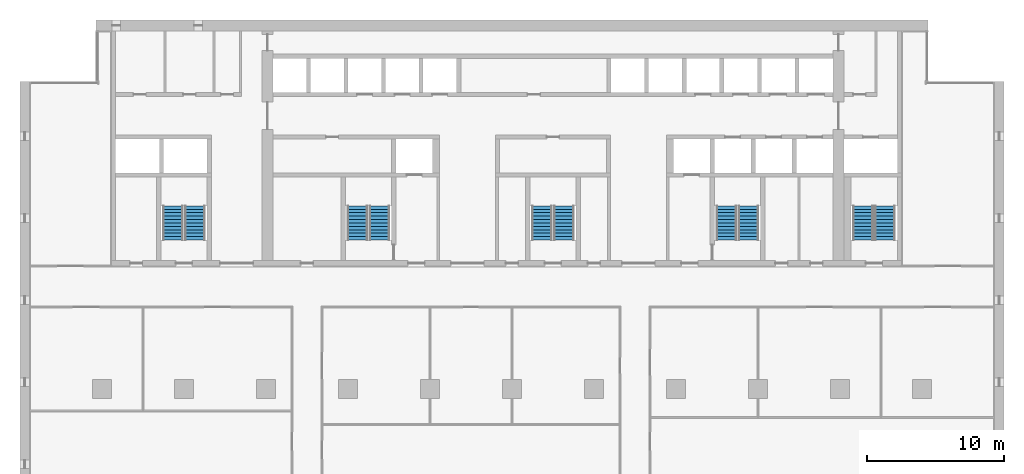
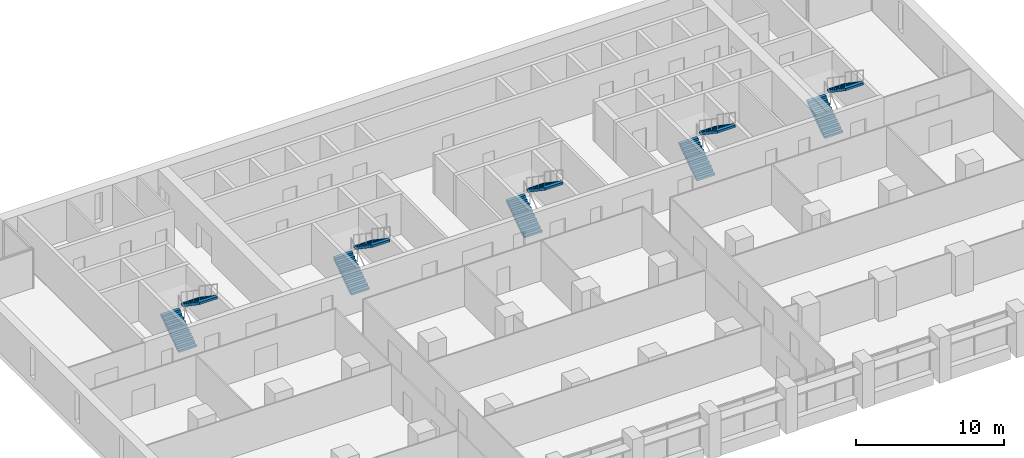
# One storey, part 13 of 17: 10 stair flights, 5 elements without a shape of their own.
"""IFC4 building model written with IfcOpenShell, lengths in metres."""

from ifc_helpers import new_model, si_unit, direction, frame, origin, place, context, subcontext, project, spatial, polyline, outline, extrude, material, type_object, element, aggregate, save


model = new_model("IFC4")

# Units and contexts
model_context = context("Model", 3, precision=1e-05, world=origin(), true_north=direction((0.0, 1.0)))
body_context = subcontext(model_context, "Body", "Model", "MODEL_VIEW")
ifc_project = project(units=[si_unit("LENGTHUNIT", "METRE"), si_unit("AREAUNIT", "SQUARE_METRE"), si_unit("VOLUMEUNIT", "CUBIC_METRE"), si_unit("PLANEANGLEUNIT", "RADIAN"), si_unit("MASSUNIT", "GRAM", prefix="KILO")], contexts=[model_context])

# Site, building, storey
site_placement = place(None, origin())
site = spatial("IfcSite", under=ifc_project, at=site_placement, CompositionType="ELEMENT")
building_placement = place(site_placement, origin())
building = spatial("IfcBuilding", under=site, at=building_placement, Name="Calvaro Tower", CompositionType="ELEMENT")
storey_placement = place(building_placement, frame((0.0, 0.0, 102.5)))
storey = spatial("IfcBuildingStorey", under=building, at=storey_placement, Name="L25", CompositionType="ELEMENT", Elevation=102.5)

# Stair, stair flights
ifc_material_1 = material(Name="Concrete C40/50", Category="concrete")
stair_type = type_object("IfcStairType", Name="Exit stair 1400 2 flights", PredefinedType="HALF_TURN_STAIR", material=ifc_material_1)
stair_1_placement = place(storey_placement, origin())
stair_1 = element("IfcStair", 1, at=stair_1_placement, inside=storey, type_object=stair_type, Name="Exit stair S1", PredefinedType="HALF_TURN_STAIR")
ifc_material_2 = material(Name="Concrete C40/50", Category="concrete")
stair_flight_type = type_object("IfcStairFlightType", Name="Stair flight", PredefinedType="STRAIGHT", material=ifc_material_2)
stair_flight_1_placement = place(storey_placement, frame((11.199951171875, 29.89990234375, 0.0), z_axis=(0.0, 0.0, 1.0), x_axis=(0.0, 1.0, 0.0)))
stair_flight_1 = element("IfcStairFlight", 2, at=stair_flight_1_placement, type_object=stair_flight_type, Name="Exit stair 1, flight 1", NumberOfRisers=11, NumberOfTreads=10, PredefinedType="STRAIGHT", RiserHeight=0.170454545, TreadLength=0.25, context=body_context, shape_type="SweptSolid", body=[
    extrude(outline(polyline([(0.0, 0.0), (0.0, 0.17041015625), (0.25, 0.17041015625), (0.25, 0.3408203125), (0.5, 0.3408203125), (0.5, 0.511474609375), (0.75, 0.511474609375), (0.75, 0.681884765625), (1.0, 0.681884765625), (1.0, 0.852294921875), (1.25, 0.852294921875), (1.25, 1.022705078125), (1.5, 1.022705078125), (1.5, 1.193115234375), (1.75, 1.193115234375), (1.75, 1.363525390625), (2.0, 1.363525390625), (2.0, 1.5341796875), (2.25, 1.5341796875), (2.25, 1.70458984375), (2.5, 1.70458984375), (2.5, 1.875), (2.5, 1.523193359375), (0.26611328125, 0.0), (0.0, 0.0)])), frame((0.0, 0.699951171875, 0.0), z_axis=(0.0, -1.0, 0.0), x_axis=(1.0, 0.0, 0.0)), (0.0, 0.0, 1.0), 1.39990234375),
])
stair_flight_2_placement = place(storey_placement, frame((12.800048828125, 32.39990234375, 1.875), z_axis=(0.0, 0.0, 1.0), x_axis=(0.0, -1.0, 0.0)))
stair_flight_2 = element("IfcStairFlight", 3, at=stair_flight_2_placement, type_object=stair_flight_type, Name="Exit stair 1, flight 2", NumberOfRisers=11, NumberOfTreads=10, PredefinedType="STRAIGHT", RiserHeight=0.170454545, TreadLength=0.25, context=body_context, shape_type="SweptSolid", body=[
    extrude(outline(polyline([(0.0, 0.0), (0.0, 0.17041015625), (0.25, 0.17041015625), (0.25, 0.3408203125), (0.5, 0.3408203125), (0.5, 0.511474609375), (0.75, 0.511474609375), (0.75, 0.681884765625), (1.0, 0.681884765625), (1.0, 0.852294921875), (1.25, 0.852294921875), (1.25, 1.022705078125), (1.5, 1.022705078125), (1.5, 1.193115234375), (1.75, 1.193115234375), (1.75, 1.363525390625), (2.0, 1.363525390625), (2.0, 1.5341796875), (2.25, 1.5341796875), (2.25, 1.70458984375), (2.5, 1.70458984375), (2.5, 1.875), (2.5, 1.523193359375), (0.26611328125, 0.0), (0.0, 0.0)])), frame((0.0, 0.699951171875, 0.0), z_axis=(0.0, -1.0, 0.0), x_axis=(1.0, 0.0, 0.0)), (0.0, 0.0, 1.0), 1.39990234375),
])
aggregate(stair_1, [stair_flight_1, stair_flight_2])

stair_2_placement = place(storey_placement, origin())
stair_2 = element("IfcStair", 4, at=stair_2_placement, inside=storey, type_object=stair_type, Name="Exit stair S2", PredefinedType="HALF_TURN_STAIR")
stair_flight_3_placement = place(storey_placement, frame((24.699951171875, 29.89990234375, 0.0), z_axis=(0.0, 0.0, 1.0), x_axis=(0.0, 1.0, 0.0)))
stair_flight_3 = element("IfcStairFlight", 5, at=stair_flight_3_placement, type_object=stair_flight_type, Name="Exit stair 2, flight 1", NumberOfRisers=11, NumberOfTreads=10, PredefinedType="STRAIGHT", RiserHeight=0.170454545, TreadLength=0.25, context=body_context, shape_type="SweptSolid", body=[
    extrude(outline(polyline([(0.0, 0.0), (0.0, 0.17041015625), (0.25, 0.17041015625), (0.25, 0.3408203125), (0.5, 0.3408203125), (0.5, 0.511474609375), (0.75, 0.511474609375), (0.75, 0.681884765625), (1.0, 0.681884765625), (1.0, 0.852294921875), (1.25, 0.852294921875), (1.25, 1.022705078125), (1.5, 1.022705078125), (1.5, 1.193115234375), (1.75, 1.193115234375), (1.75, 1.363525390625), (2.0, 1.363525390625), (2.0, 1.5341796875), (2.25, 1.5341796875), (2.25, 1.70458984375), (2.5, 1.70458984375), (2.5, 1.875), (2.5, 1.523193359375), (0.26611328125, 0.0), (0.0, 0.0)])), frame((0.0, 0.699951171875, 0.0), z_axis=(0.0, -1.0, 0.0), x_axis=(1.0, 0.0, 0.0)), (0.0, 0.0, 1.0), 1.39990234375),
])
stair_flight_4_placement = place(storey_placement, frame((26.300048828125, 32.39990234375, 1.875), z_axis=(0.0, 0.0, 1.0), x_axis=(0.0, -1.0, 0.0)))
stair_flight_4 = element("IfcStairFlight", 6, at=stair_flight_4_placement, type_object=stair_flight_type, Name="Exit stair 2, flight 2", NumberOfRisers=11, NumberOfTreads=10, PredefinedType="STRAIGHT", RiserHeight=0.170454545, TreadLength=0.25, context=body_context, shape_type="SweptSolid", body=[
    extrude(outline(polyline([(0.0, 0.0), (0.0, 0.17041015625), (0.25, 0.17041015625), (0.25, 0.3408203125), (0.5, 0.3408203125), (0.5, 0.511474609375), (0.75, 0.511474609375), (0.75, 0.681884765625), (1.0, 0.681884765625), (1.0, 0.852294921875), (1.25, 0.852294921875), (1.25, 1.022705078125), (1.5, 1.022705078125), (1.5, 1.193115234375), (1.75, 1.193115234375), (1.75, 1.363525390625), (2.0, 1.363525390625), (2.0, 1.5341796875), (2.25, 1.5341796875), (2.25, 1.70458984375), (2.5, 1.70458984375), (2.5, 1.875), (2.5, 1.523193359375), (0.26611328125, 0.0), (0.0, 0.0)])), frame((0.0, 0.699951171875, 0.0), z_axis=(0.0, -1.0, 0.0), x_axis=(1.0, 0.0, 0.0)), (0.0, 0.0, 1.0), 1.39990234375),
])
aggregate(stair_2, [stair_flight_3, stair_flight_4])

stair_3_placement = place(storey_placement, origin())
stair_3 = element("IfcStair", 7, at=stair_3_placement, inside=storey, type_object=stair_type, Name="Exit stair S3", PredefinedType="HALF_TURN_STAIR")
stair_flight_5_placement = place(storey_placement, frame((38.199951171875, 29.89990234375, 0.0), z_axis=(0.0, 0.0, 1.0), x_axis=(0.0, 1.0, 0.0)))
stair_flight_5 = element("IfcStairFlight", 8, at=stair_flight_5_placement, type_object=stair_flight_type, Name="Exit stair 3, flight 1", NumberOfRisers=11, NumberOfTreads=10, PredefinedType="STRAIGHT", RiserHeight=0.170454545, TreadLength=0.25, context=body_context, shape_type="SweptSolid", body=[
    extrude(outline(polyline([(0.0, 0.0), (0.0, 0.17041015625), (0.25, 0.17041015625), (0.25, 0.3408203125), (0.5, 0.3408203125), (0.5, 0.511474609375), (0.75, 0.511474609375), (0.75, 0.681884765625), (1.0, 0.681884765625), (1.0, 0.852294921875), (1.25, 0.852294921875), (1.25, 1.022705078125), (1.5, 1.022705078125), (1.5, 1.193115234375), (1.75, 1.193115234375), (1.75, 1.363525390625), (2.0, 1.363525390625), (2.0, 1.5341796875), (2.25, 1.5341796875), (2.25, 1.70458984375), (2.5, 1.70458984375), (2.5, 1.875), (2.5, 1.523193359375), (0.26611328125, 0.0), (0.0, 0.0)])), frame((0.0, 0.699951171875, 0.0), z_axis=(0.0, -1.0, 0.0), x_axis=(1.0, 0.0, 0.0)), (0.0, 0.0, 1.0), 1.39990234375),
])
stair_flight_6_placement = place(storey_placement, frame((39.800048828125, 32.39990234375, 1.875), z_axis=(0.0, 0.0, 1.0), x_axis=(0.0, -1.0, 0.0)))
stair_flight_6 = element("IfcStairFlight", 9, at=stair_flight_6_placement, type_object=stair_flight_type, Name="Exit stair 3, flight 2", NumberOfRisers=11, NumberOfTreads=10, PredefinedType="STRAIGHT", RiserHeight=0.170454545, TreadLength=0.25, context=body_context, shape_type="SweptSolid", body=[
    extrude(outline(polyline([(0.0, 0.0), (0.0, 0.17041015625), (0.25, 0.17041015625), (0.25, 0.3408203125), (0.5, 0.3408203125), (0.5, 0.511474609375), (0.75, 0.511474609375), (0.75, 0.681884765625), (1.0, 0.681884765625), (1.0, 0.852294921875), (1.25, 0.852294921875), (1.25, 1.022705078125), (1.5, 1.022705078125), (1.5, 1.193115234375), (1.75, 1.193115234375), (1.75, 1.363525390625), (2.0, 1.363525390625), (2.0, 1.5341796875), (2.25, 1.5341796875), (2.25, 1.70458984375), (2.5, 1.70458984375), (2.5, 1.875), (2.5, 1.523193359375), (0.26611328125, 0.0), (0.0, 0.0)])), frame((0.0, 0.699951171875, 0.0), z_axis=(0.0, -1.0, 0.0), x_axis=(1.0, 0.0, 0.0)), (0.0, 0.0, 1.0), 1.39990234375),
])
aggregate(stair_3, [stair_flight_5, stair_flight_6])

stair_4_placement = place(storey_placement, origin())
stair_4 = element("IfcStair", 10, at=stair_4_placement, inside=storey, type_object=stair_type, Name="Exit stair S4", PredefinedType="HALF_TURN_STAIR")
stair_flight_7_placement = place(storey_placement, frame((51.699951171875, 29.89990234375, 0.0), z_axis=(0.0, 0.0, 1.0), x_axis=(0.0, 1.0, 0.0)))
stair_flight_7 = element("IfcStairFlight", 11, at=stair_flight_7_placement, type_object=stair_flight_type, Name="Exit stair 4, flight 1", NumberOfRisers=11, NumberOfTreads=10, PredefinedType="STRAIGHT", RiserHeight=0.170454545, TreadLength=0.25, context=body_context, shape_type="SweptSolid", body=[
    extrude(outline(polyline([(0.0, 0.0), (0.0, 0.17041015625), (0.25, 0.17041015625), (0.25, 0.3408203125), (0.5, 0.3408203125), (0.5, 0.511474609375), (0.75, 0.511474609375), (0.75, 0.681884765625), (1.0, 0.681884765625), (1.0, 0.852294921875), (1.25, 0.852294921875), (1.25, 1.022705078125), (1.5, 1.022705078125), (1.5, 1.193115234375), (1.75, 1.193115234375), (1.75, 1.363525390625), (2.0, 1.363525390625), (2.0, 1.5341796875), (2.25, 1.5341796875), (2.25, 1.70458984375), (2.5, 1.70458984375), (2.5, 1.875), (2.5, 1.523193359375), (0.26611328125, 0.0), (0.0, 0.0)])), frame((0.0, 0.699951171875, 0.0), z_axis=(0.0, -1.0, 0.0), x_axis=(1.0, 0.0, 0.0)), (0.0, 0.0, 1.0), 1.39990234375),
])
stair_flight_8_placement = place(storey_placement, frame((53.300048828125, 32.39990234375, 1.875), z_axis=(0.0, 0.0, 1.0), x_axis=(0.0, -1.0, 0.0)))
stair_flight_8 = element("IfcStairFlight", 12, at=stair_flight_8_placement, type_object=stair_flight_type, Name="Exit stair 4, flight 2", NumberOfRisers=11, NumberOfTreads=10, PredefinedType="STRAIGHT", RiserHeight=0.170454545, TreadLength=0.25, context=body_context, shape_type="SweptSolid", body=[
    extrude(outline(polyline([(0.0, 0.0), (0.0, 0.17041015625), (0.25, 0.17041015625), (0.25, 0.3408203125), (0.5, 0.3408203125), (0.5, 0.511474609375), (0.75, 0.511474609375), (0.75, 0.681884765625), (1.0, 0.681884765625), (1.0, 0.852294921875), (1.25, 0.852294921875), (1.25, 1.022705078125), (1.5, 1.022705078125), (1.5, 1.193115234375), (1.75, 1.193115234375), (1.75, 1.363525390625), (2.0, 1.363525390625), (2.0, 1.5341796875), (2.25, 1.5341796875), (2.25, 1.70458984375), (2.5, 1.70458984375), (2.5, 1.875), (2.5, 1.523193359375), (0.26611328125, 0.0), (0.0, 0.0)])), frame((0.0, 0.699951171875, 0.0), z_axis=(0.0, -1.0, 0.0), x_axis=(1.0, 0.0, 0.0)), (0.0, 0.0, 1.0), 1.39990234375),
])
aggregate(stair_4, [stair_flight_7, stair_flight_8])

stair_5_placement = place(storey_placement, origin())
stair_5 = element("IfcStair", 13, at=stair_5_placement, inside=storey, type_object=stair_type, Name="Exit stair S5", PredefinedType="HALF_TURN_STAIR")
stair_flight_9_placement = place(storey_placement, frame((61.699951171875, 29.89990234375, 0.0), z_axis=(0.0, 0.0, 1.0), x_axis=(0.0, 1.0, 0.0)))
stair_flight_9 = element("IfcStairFlight", 14, at=stair_flight_9_placement, type_object=stair_flight_type, Name="Exit stair 5, flight 1", NumberOfRisers=11, NumberOfTreads=10, PredefinedType="STRAIGHT", RiserHeight=0.170454545, TreadLength=0.25, context=body_context, shape_type="SweptSolid", body=[
    extrude(outline(polyline([(0.0, 0.0), (0.0, 0.17041015625), (0.25, 0.17041015625), (0.25, 0.3408203125), (0.5, 0.3408203125), (0.5, 0.511474609375), (0.75, 0.511474609375), (0.75, 0.681884765625), (1.0, 0.681884765625), (1.0, 0.852294921875), (1.25, 0.852294921875), (1.25, 1.022705078125), (1.5, 1.022705078125), (1.5, 1.193115234375), (1.75, 1.193115234375), (1.75, 1.363525390625), (2.0, 1.363525390625), (2.0, 1.5341796875), (2.25, 1.5341796875), (2.25, 1.70458984375), (2.5, 1.70458984375), (2.5, 1.875), (2.5, 1.523193359375), (0.26611328125, 0.0), (0.0, 0.0)])), frame((0.0, 0.699951171875, 0.0), z_axis=(0.0, -1.0, 0.0), x_axis=(1.0, 0.0, 0.0)), (0.0, 0.0, 1.0), 1.39990234375),
])
stair_flight_10_placement = place(storey_placement, frame((63.300048828125, 32.39990234375, 1.875), z_axis=(0.0, 0.0, 1.0), x_axis=(0.0, -1.0, 0.0)))
stair_flight_10 = element("IfcStairFlight", 15, at=stair_flight_10_placement, type_object=stair_flight_type, Name="Exit stair 5, flight 2", NumberOfRisers=11, NumberOfTreads=10, PredefinedType="STRAIGHT", RiserHeight=0.170454545, TreadLength=0.25, context=body_context, shape_type="SweptSolid", body=[
    extrude(outline(polyline([(0.0, 0.0), (0.0, 0.17041015625), (0.25, 0.17041015625), (0.25, 0.3408203125), (0.5, 0.3408203125), (0.5, 0.511474609375), (0.75, 0.511474609375), (0.75, 0.681884765625), (1.0, 0.681884765625), (1.0, 0.852294921875), (1.25, 0.852294921875), (1.25, 1.022705078125), (1.5, 1.022705078125), (1.5, 1.193115234375), (1.75, 1.193115234375), (1.75, 1.363525390625), (2.0, 1.363525390625), (2.0, 1.5341796875), (2.25, 1.5341796875), (2.25, 1.70458984375), (2.5, 1.70458984375), (2.5, 1.875), (2.5, 1.523193359375), (0.26611328125, 0.0), (0.0, 0.0)])), frame((0.0, 0.699951171875, 0.0), z_axis=(0.0, -1.0, 0.0), x_axis=(1.0, 0.0, 0.0)), (0.0, 0.0, 1.0), 1.39990234375),
])
aggregate(stair_5, [stair_flight_9, stair_flight_10])

save(model, "model.ifc")
